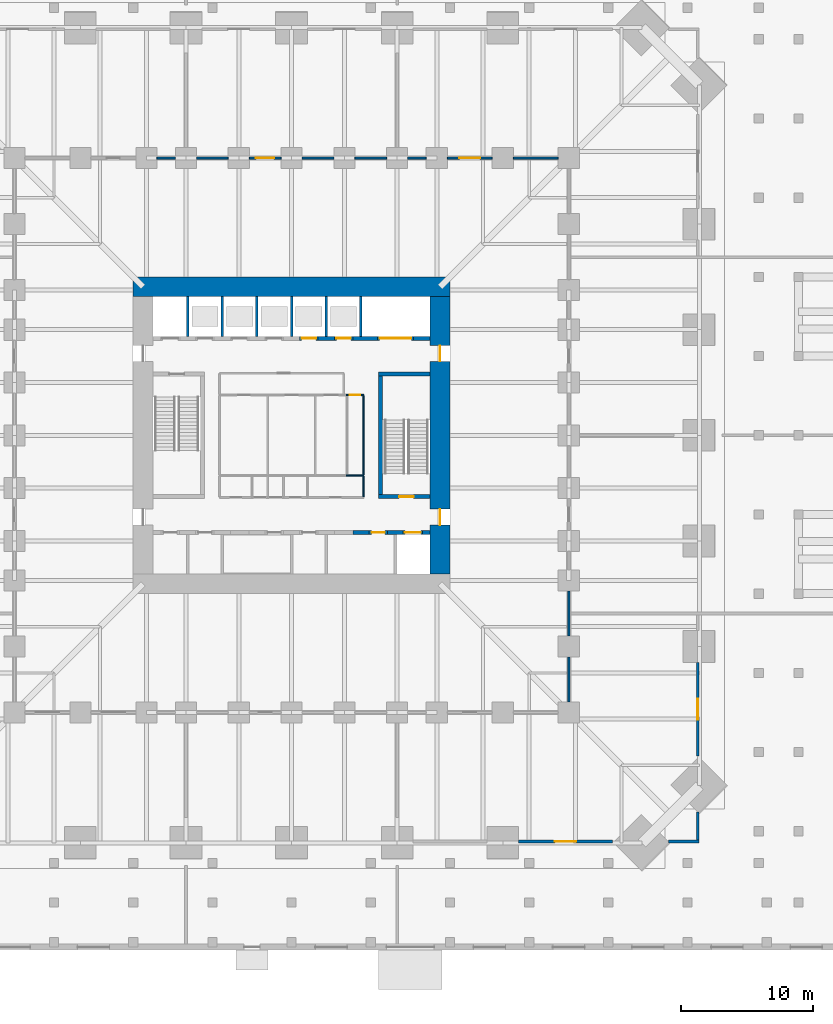
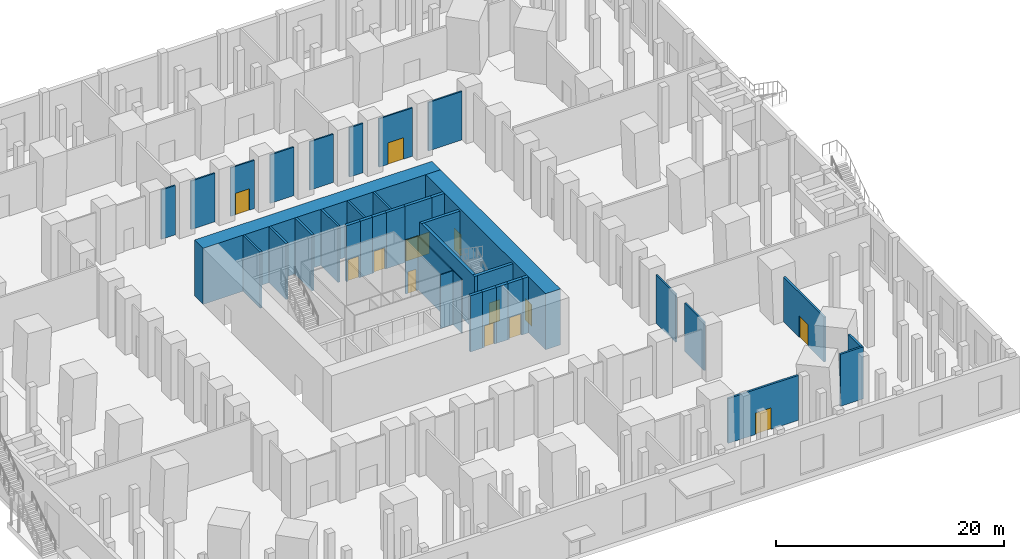
# One storey, part 15 of 20: 40 walls, 13 doors, 13 openings.
"""IFC4 building model written with IfcOpenShell, lengths in metres."""

from ifc_helpers import new_model, si_unit, direction, frame, frame_2d, origin, place, context, subcontext, project, spatial, rectangle, extrude, material, layer, layer_set, type_object, element, fill, save


model = new_model("IFC4")

# Units and contexts
model_context = context("Model", 3, precision=1e-05, world=origin(), true_north=direction((0.0, 1.0)))
body_context = subcontext(model_context, "Body", "Model", "MODEL_VIEW")
ifc_project = project(units=[si_unit("LENGTHUNIT", "METRE"), si_unit("AREAUNIT", "SQUARE_METRE"), si_unit("VOLUMEUNIT", "CUBIC_METRE"), si_unit("PLANEANGLEUNIT", "RADIAN"), si_unit("MASSUNIT", "GRAM", prefix="KILO")], contexts=[model_context])

# Site, building, storey
site_placement = place(None, origin())
site = spatial("IfcSite", under=ifc_project, at=site_placement, CompositionType="ELEMENT")
building_placement = place(site_placement, origin())
building = spatial("IfcBuilding", under=site, at=building_placement, Name="Peilmerk Tower", CompositionType="ELEMENT")
storey_placement = place(building_placement, origin())
storey = spatial("IfcBuildingStorey", under=building, at=storey_placement, Name="L00", CompositionType="ELEMENT", Elevation=0.0)

# Walls
ifc_material_1 = material(Name="Calcium silicate block", Category="masonry")
ifc_layer_1 = layer(ifc_material_1, 0.14990234375)
ifc_layer_set_1 = layer_set([ifc_layer_1], Name="Calcium silicate block")
wall_type_1 = type_object("IfcWallType", Name="IW1 150 corridor partition, EI 60", PredefinedType="PARTITIONING", material=ifc_layer_set_1)
wall_1_placement = place(storey_placement, frame((-10.199951171875, 21.0, 0.0), z_axis=(0.0, 0.0, 1.0), x_axis=(1.0, 0.0, 0.0)))
element("IfcWall", 1, at=wall_1_placement, inside=storey, type_object=wall_type_1, Name="Corridor wall Nc L00", PredefinedType="PARTITIONING", context=body_context, shape_type="SweptSolid", body=[
    extrude(rectangle(XDim=1.39990234375, YDim=0.14990234375, at=frame_2d((0.699951171875, 0.0))), origin(), (0.0, 0.0, 1.0), 5.27587890625),
])
wall_2_placement = place(storey_placement, frame((-7.199951171875, 21.0, 0.0), z_axis=(0.0, 0.0, 1.0), x_axis=(1.0, 0.0, 0.0)))
element("IfcWall", 2, at=wall_2_placement, inside=storey, type_object=wall_type_1, Name="Corridor wall Nd L00", PredefinedType="PARTITIONING", context=body_context, shape_type="SweptSolid", body=[
    extrude(rectangle(XDim=2.39990234375, YDim=0.14990234375, at=frame_2d((1.199951171875, 0.0))), origin(), (0.0, 0.0, 1.0), 5.179931640625),
])

# Wall, opening, door
wall_3_placement = place(storey_placement, frame((-3.199951171875, 21.0, 0.0), z_axis=(0.0, 0.0, 1.0), x_axis=(1.0, 0.0, 0.0)))
wall_3 = element("IfcWall", 3, at=wall_3_placement, inside=storey, type_object=wall_type_1, Name="Corridor wall Ne L00", PredefinedType="PARTITIONING", context=body_context, shape_type="SweptSolid", body=[
    extrude(rectangle(XDim=2.39990234375, YDim=0.14990234375, at=frame_2d((1.199951171875, 0.0))), origin(), (0.0, 0.0, 1.0), 5.179931640625),
])
opening_1_placement = place(wall_3_placement, frame((0.5, 0.0, 0.0)))
opening_1 = element("IfcOpeningElement", 4, at=opening_1_placement, cuts=wall_3, Name="Opening D8", PredefinedType="OPENING", context=body_context, shape_type="SweptSolid", body=[
    extrude(rectangle(XDim=1.39990234375, YDim=2.300048828125, at=frame_2d((0.699951171875, 1.14990234375))), frame((0.0, 0.0849609375, 0.0), z_axis=(0.0, -1.0, 0.0), x_axis=(1.0, 0.0, 0.0)), (0.0, 0.0, 1.0), 0.169921875),
])
ifc_material_2 = material(Name="Timber door in steel frame", Category="steel")
door_type_1 = type_object("IfcDoorType", Name="D8 1400x2300 leaf-and-a-half door, EI2 30", OperationType="DOUBLE_DOOR_SINGLE_SWING", PredefinedType="DOOR", material=ifc_material_2)
door_1_placement = place(opening_1_placement, origin())
door_1 = element("IfcDoor", 5, at=door_1_placement, inside=storey, type_object=door_type_1, Name="Door Entrance lobby L00", OperationType="DOUBLE_DOOR_SINGLE_SWING", OverallHeight=2.300048828125, OverallWidth=1.39990234375, PredefinedType="DOOR", context=body_context, shape_type="SweptSolid", body=[
    extrude(rectangle(XDim=1.39990234375, YDim=2.300048828125, at=frame_2d((0.699951171875, 1.14990234375))), frame((0.0, 0.02490234375, 0.0), z_axis=(0.0, -1.0, 0.0), x_axis=(1.0, 0.0, 0.0)), (0.0, 0.0, 1.0), 0.050048828125),
])
fill(opening_1, door_1)

# Walls
for number, where, z_axis, x_axis, name in (
    (6, (0.800048828125, 21.0, 0.0), (0.0, 0.0, 1.0), (1.0, 0.0, 0.0), "Corridor wall Nf L00"),
    (7, (4.800048828125, 21.0, 0.0), (0.0, 0.0, 1.0), (1.0, 0.0, 0.0), "Corridor wall Ng L00"),
):
    element("IfcWall", number, at=place(storey_placement, frame(where, z_axis=z_axis, x_axis=x_axis)), inside=storey, type_object=wall_type_1, Name=name, PredefinedType="PARTITIONING", context=body_context, shape_type="SweptSolid", body=[
        extrude(rectangle(XDim=2.39990234375, YDim=0.14990234375, at=frame_2d((1.199951171875, 0.0))), origin(), (0.0, 0.0, 1.0), 5.179931640625),
    ])
wall_4_placement = place(storey_placement, frame((8.800048828125, 21.0, 0.0), z_axis=(0.0, 0.0, 1.0), x_axis=(1.0, 0.0, 0.0)))
element("IfcWall", 8, at=wall_4_placement, inside=storey, type_object=wall_type_1, Name="Corridor wall Nh L00", PredefinedType="PARTITIONING", context=body_context, shape_type="SweptSolid", body=[
    extrude(rectangle(XDim=1.39990234375, YDim=0.14990234375, at=frame_2d((0.699951171875, 0.0))), origin(), (0.0, 0.0, 1.0), 5.27587890625),
])

# Wall, opening, door
wall_5_placement = place(storey_placement, frame((11.800048828125, 21.0, 0.0), z_axis=(0.0, 0.0, 1.0), x_axis=(1.0, 0.0, 0.0)))
wall_5 = element("IfcWall", 9, at=wall_5_placement, inside=storey, type_object=wall_type_1, Name="Corridor wall Ni L00", PredefinedType="PARTITIONING", context=body_context, shape_type="SweptSolid", body=[
    extrude(rectangle(XDim=3.39990234375, YDim=0.14990234375, at=frame_2d((1.699951171875, 0.0))), origin(), (0.0, 0.0, 1.0), 5.179931640625),
])
opening_2_placement = place(wall_5_placement, frame((0.89990234375, 0.0, 0.0)))
opening_2 = element("IfcOpeningElement", 10, at=opening_2_placement, cuts=wall_5, Name="Opening D9", PredefinedType="OPENING", context=body_context, shape_type="SweptSolid", body=[
    extrude(rectangle(XDim=1.60009765625, YDim=2.300048828125, at=frame_2d((0.800048828125, 1.14990234375))), frame((0.0, 0.0849609375, 0.0), z_axis=(0.0, -1.0, 0.0), x_axis=(1.0, 0.0, 0.0)), (0.0, 0.0, 1.0), 0.169921875),
])
ifc_material_3 = material(Name="Glazed timber door in steel frame", Category="steel")
door_type_2 = type_object("IfcDoorType", Name="D9 1600x2300 glazed double door, EI2 30", OperationType="DOUBLE_DOOR_SINGLE_SWING", PredefinedType="DOOR", material=ifc_material_3)
door_2_placement = place(opening_2_placement, origin())
door_2 = element("IfcDoor", 11, at=door_2_placement, inside=storey, type_object=door_type_2, Name="Door Cafe L00", OperationType="DOUBLE_DOOR_SINGLE_SWING", OverallHeight=2.300048828125, OverallWidth=1.60009765625, PredefinedType="DOOR", context=body_context, shape_type="SweptSolid", body=[
    extrude(rectangle(XDim=1.60009765625, YDim=2.300048828125, at=frame_2d((0.800048828125, 1.14990234375))), frame((0.0, 0.02490234375, 0.0), z_axis=(0.0, -1.0, 0.0), x_axis=(1.0, 0.0, 0.0)), (0.0, 0.0, 1.0), 0.050048828125),
])
fill(opening_2, door_2)

# Walls
for number, where, z_axis, x_axis, name in (
    (12, (16.800048828125, 21.0, 0.0), (0.0, 0.0, 1.0), (1.0, 0.0, 0.0), "Corridor wall Nj L00"),
    (13, (21.0, -20.199951171875, 0.0), (0.0, 0.0, 1.0), (0.0, 1.0, 0.0), "Corridor wall E L00"),
    (14, (21.0, -15.199951171875, 0.0), (0.0, 0.0, 1.0), (0.0, 1.0, 0.0), "Corridor wall Eb L00"),
):
    element("IfcWall", number, at=place(storey_placement, frame(where, z_axis=z_axis, x_axis=x_axis)), inside=storey, type_object=wall_type_1, Name=name, PredefinedType="PARTITIONING", context=body_context, shape_type="SweptSolid", body=[
        extrude(rectangle(XDim=3.39990234375, YDim=0.14990234375, at=frame_2d((1.699951171875, 0.0))), origin(), (0.0, 0.0, 1.0), 5.179931640625),
    ])

# Wall, opening, door
ifc_layer_2 = layer(ifc_material_1, 0.199951171875)
ifc_layer_set_2 = layer_set([ifc_layer_2], Name="Calcium silicate block")
wall_type_2 = type_object("IfcWallType", Name="IW2 200 room separating wall, EI 120", PredefinedType="PARTITIONING", material=ifc_layer_set_2)
wall_6_placement = place(storey_placement, frame((30.77587890625, -17.199951171875, 0.0), z_axis=(0.0, 0.0, 1.0), x_axis=(0.0, -1.0, 0.0)))
wall_6 = element("IfcWall", 15, at=wall_6_placement, inside=storey, type_object=wall_type_2, Name="Room separating wall S3X001 L00", PredefinedType="PARTITIONING", context=body_context, shape_type="SweptSolid", body=[
    extrude(rectangle(XDim=7.1044921875, YDim=0.199951171875, at=frame_2d((3.55224609375, 0.0))), origin(), (0.0, 0.0, 1.0), 4.800048828125),
])
opening_3_placement = place(wall_6_placement, frame((2.752197265625, 0.0, 0.0)))
opening_3 = element("IfcOpeningElement", 16, at=opening_3_placement, cuts=wall_6, Name="Opening D9", PredefinedType="OPENING", context=body_context, shape_type="SweptSolid", body=[
    extrude(rectangle(XDim=1.60009765625, YDim=2.300048828125, at=frame_2d((0.800048828125, 1.14990234375))), frame((0.0, 0.10986328125, 0.0), z_axis=(0.0, -1.0, 0.0), x_axis=(1.0, 0.0, 0.0)), (0.0, 0.0, 1.0), 0.219970703125),
])
door_3_placement = place(opening_3_placement, origin())
door_3 = element("IfcDoor", 17, at=door_3_placement, inside=storey, type_object=door_type_2, Name="Door Colonnade walkway L00", OperationType="DOUBLE_DOOR_SINGLE_SWING", OverallHeight=2.300048828125, OverallWidth=1.60009765625, PredefinedType="DOOR", context=body_context, shape_type="SweptSolid", body=[
    extrude(rectangle(XDim=1.60009765625, YDim=2.300048828125, at=frame_2d((0.800048828125, 1.14990234375))), frame((0.0, 0.02490234375, 0.0), z_axis=(0.0, -1.0, 0.0), x_axis=(1.0, 0.0, 0.0)), (0.0, 0.0, 1.0), 0.050048828125),
])
fill(opening_3, door_3)

# Walls
wall_7_placement = place(storey_placement, frame((30.77587890625, -28.547119140625, 0.0), z_axis=(0.0, 0.0, 1.0), x_axis=(0.0, -1.0, 0.0)))
element("IfcWall", 18, at=wall_7_placement, inside=storey, type_object=wall_type_2, Name="Room separating wall S3X002 L00", PredefinedType="PARTITIONING", context=body_context, shape_type="SweptSolid", body=[
    extrude(rectangle(XDim=2.128662109375, YDim=0.199951171875, at=frame_2d((1.064453125, 0.0))), origin(), (0.0, 0.0, 1.0), 5.550048828125),
])
wall_8_placement = place(storey_placement, frame((30.875732421875, -30.77587890625, 0.0), z_axis=(0.0, 0.0, 1.0), x_axis=(-1.0, 0.0, 0.0)))
element("IfcWall", 19, at=wall_8_placement, inside=storey, type_object=wall_type_2, Name="Room separating wall S3X010 L00", PredefinedType="PARTITIONING", context=body_context, shape_type="SweptSolid", body=[
    extrude(rectangle(XDim=2.32861328125, YDim=0.199951171875, at=frame_2d((1.164306640625, 0.0))), origin(), (0.0, 0.0, 1.0), 5.550048828125),
])

# Wall, opening, door
wall_9_placement = place(storey_placement, frame((24.304443359375, -30.77587890625, 0.0), z_axis=(0.0, 0.0, 1.0), x_axis=(-1.0, 0.0, 0.0)))
wall_9 = element("IfcWall", 20, at=wall_9_placement, inside=storey, type_object=wall_type_2, Name="Room separating wall S3X011 L00", PredefinedType="PARTITIONING", context=body_context, shape_type="SweptSolid", body=[
    extrude(rectangle(XDim=7.1044921875, YDim=0.199951171875, at=frame_2d((3.55224609375, 0.0))), origin(), (0.0, 0.0, 1.0), 4.800048828125),
])
opening_4_placement = place(wall_9_placement, frame((2.752197265625, 0.0, 0.0)))
opening_4 = element("IfcOpeningElement", 21, at=opening_4_placement, cuts=wall_9, Name="Opening D9", PredefinedType="OPENING", context=body_context, shape_type="SweptSolid", body=[
    extrude(rectangle(XDim=1.60009765625, YDim=2.300048828125, at=frame_2d((0.800048828125, 1.14990234375))), frame((0.0, 0.10986328125, 0.0), z_axis=(0.0, -1.0, 0.0), x_axis=(1.0, 0.0, 0.0)), (0.0, 0.0, 1.0), 0.219970703125),
])
door_4_placement = place(opening_4_placement, origin())
door_4 = element("IfcDoor", 22, at=door_4_placement, inside=storey, type_object=door_type_2, Name="Door Colonnade walkway L00", OperationType="DOUBLE_DOOR_SINGLE_SWING", OverallHeight=2.300048828125, OverallWidth=1.60009765625, PredefinedType="DOOR", context=body_context, shape_type="SweptSolid", body=[
    extrude(rectangle(XDim=1.60009765625, YDim=2.300048828125, at=frame_2d((0.800048828125, 1.14990234375))), frame((0.0, 0.02490234375, 0.0), z_axis=(0.0, -1.0, 0.0), x_axis=(1.0, 0.0, 0.0)), (0.0, 0.0, 1.0), 0.050048828125),
])
fill(opening_4, door_4)

# Walls
ifc_material_4 = material(Name="Concrete C35/45", Category="concrete")
ifc_layer_3 = layer(ifc_material_4, 0.300048828125)
ifc_layer_set_3 = layer_set([ifc_layer_3], Name="Concrete C35/45")
wall_type_3 = type_object("IfcWallType", Name="IW3 300 concrete stair enclosure wall, EI 120", PredefinedType="SOLIDWALL", material=ifc_layer_set_3)
wall_10_placement = place(storey_placement, frame((6.75, -4.800048828125, 0.0), z_axis=(0.0, 0.0, 1.0), x_axis=(0.0, 1.0, 0.0)))
element("IfcWall", 23, at=wall_10_placement, inside=storey, type_object=wall_type_3, Name="Stair 2 enclosure L00", PredefinedType="SOLIDWALL", context=body_context, shape_type="SweptSolid", body=[
    extrude(rectangle(XDim=9.60009765625, YDim=0.300048828125, at=frame_2d((4.800048828125, 0.0))), origin(), (0.0, 0.0, 1.0), 5.75),
])
wall_11_placement = place(storey_placement, frame((6.60009765625, 4.64990234375, 0.0), z_axis=(0.0, 0.0, 1.0), x_axis=(1.0, 0.0, 0.0)))
element("IfcWall", 24, at=wall_11_placement, inside=storey, type_object=wall_type_3, Name="Stair 2 enclosure L00", PredefinedType="SOLIDWALL", context=body_context, shape_type="SweptSolid", body=[
    extrude(rectangle(XDim=3.89990234375, YDim=0.300048828125, at=frame_2d((1.949951171875, 0.0))), origin(), (0.0, 0.0, 1.0), 5.75),
])

# Wall, opening, door
wall_12_placement = place(storey_placement, frame((10.5, -4.64990234375, 0.0), z_axis=(0.0, 0.0, 1.0), x_axis=(-1.0, 0.0, 0.0)))
wall_12 = element("IfcWall", 25, at=wall_12_placement, inside=storey, type_object=wall_type_3, Name="Stair 2 enclosure L00", PredefinedType="SOLIDWALL", context=body_context, shape_type="SweptSolid", body=[
    extrude(rectangle(XDim=3.89990234375, YDim=0.300048828125, at=frame_2d((1.949951171875, 0.0))), origin(), (0.0, 0.0, 1.0), 5.75),
])
opening_5_placement = place(wall_12_placement, frame((1.25, 0.0, 0.0)))
opening_5 = element("IfcOpeningElement", 26, at=opening_5_placement, cuts=wall_12, Name="Opening D4", PredefinedType="OPENING", context=body_context, shape_type="SweptSolid", body=[
    extrude(rectangle(XDim=1.10009765625, YDim=2.300048828125, at=frame_2d((0.550048828125, 1.14990234375))), frame((0.0, 0.159912109375, 0.0), z_axis=(0.0, -1.0, 0.0), x_axis=(1.0, 0.0, 0.0)), (0.0, 0.0, 1.0), 0.320068359375),
])
ifc_material_5 = material(Name="Steel door in steel frame", Category="steel")
door_type_3 = type_object("IfcDoorType", Name="D4 1100x2300 stair door, EI2 60", OperationType="SINGLE_SWING_RIGHT", PredefinedType="DOOR", material=ifc_material_5)
door_5_placement = place(opening_5_placement, origin())
door_5 = element("IfcDoor", 27, at=door_5_placement, inside=storey, type_object=door_type_3, Name="Stair 2 door L00", OperationType="SINGLE_SWING_RIGHT", OverallHeight=2.300048828125, OverallWidth=1.10009765625, PredefinedType="DOOR", context=body_context, shape_type="SweptSolid", body=[
    extrude(rectangle(XDim=1.10009765625, YDim=2.300048828125, at=frame_2d((0.550048828125, 1.14990234375))), frame((0.0, 0.02490234375, 0.0), z_axis=(0.0, -1.0, 0.0), x_axis=(1.0, 0.0, 0.0)), (0.0, 0.0, 1.0), 0.050048828125),
])
fill(opening_5, door_5)

ifc_material_6 = material(Name="Calcium silicate board on steel studs", Category="steel")
ifc_layer_4 = layer(ifc_material_6, 0.10009765625)
ifc_layer_set_4 = layer_set([ifc_layer_4], Name="Calcium silicate board on steel studs")
wall_type_4 = type_object("IfcWallType", Name="IW5 100 riser enclosure wall, EI 60", PredefinedType="PARTITIONING", material=ifc_layer_set_4)
wall_13_placement = place(storey_placement, frame((4.14990234375, 3.050048828125, 0.0), z_axis=(0.0, 0.0, 1.0), x_axis=(1.0, 0.0, 0.0)))
wall_13 = element("IfcWall", 28, at=wall_13_placement, inside=storey, type_object=wall_type_4, Name="Riser wall L00", PredefinedType="PARTITIONING", context=body_context, shape_type="SweptSolid", body=[
    extrude(rectangle(XDim=1.300048828125, YDim=0.10009765625, at=frame_2d((0.64990234375, 0.0))), origin(), (0.0, 0.0, 1.0), 5.75),
])
opening_6_placement = place(wall_13_placement, frame((0.25, 0.0, 0.0)))
opening_6 = element("IfcOpeningElement", 29, at=opening_6_placement, cuts=wall_13, Name="Opening D7", PredefinedType="OPENING", context=body_context, shape_type="SweptSolid", body=[
    extrude(rectangle(XDim=0.800048828125, YDim=2.300048828125, at=frame_2d((0.39990234375, 1.14990234375))), frame((0.0, 0.06005859375, 0.0), z_axis=(0.0, -1.0, 0.0), x_axis=(1.0, 0.0, 0.0)), (0.0, 0.0, 1.0), 0.1201171875),
])
door_type_4 = type_object("IfcDoorType", Name="D7 800x2300 riser access door, EI2 60", OperationType="SINGLE_SWING_RIGHT", PredefinedType="DOOR", material=ifc_material_5)
door_6_placement = place(opening_6_placement, frame((0.800048828125, 0.0, 0.0), z_axis=(0.0, 0.0, 1.0), x_axis=(-1.0, 0.0, 0.0)))
door_6 = element("IfcDoor", 30, at=door_6_placement, inside=storey, type_object=door_type_4, Name="Plumbing riser door L00", OperationType="SINGLE_SWING_RIGHT", OverallHeight=2.300048828125, OverallWidth=0.800048828125, PredefinedType="DOOR", context=body_context, shape_type="SweptSolid", body=[
    extrude(rectangle(XDim=0.800048828125, YDim=2.300048828125, at=frame_2d((0.39990234375, 1.14990234375))), frame((0.0, 0.02490234375, 0.0), z_axis=(0.0, -1.0, 0.0), x_axis=(1.0, 0.0, 0.0)), (0.0, 0.0, 1.0), 0.050048828125),
])
fill(opening_6, door_6)

# Walls
wall_14_placement = place(storey_placement, frame((5.449951171875, -3.050048828125, 0.0), z_axis=(0.0, 0.0, 1.0), x_axis=(-1.0, 0.0, 0.0)))
element("IfcWall", 31, at=wall_14_placement, inside=storey, type_object=wall_type_4, Name="Riser wall L00", PredefinedType="PARTITIONING", context=body_context, shape_type="SweptSolid", body=[
    extrude(rectangle(XDim=1.300048828125, YDim=0.10009765625, at=frame_2d((0.64990234375, 0.0))), origin(), (0.0, 0.0, 1.0), 5.75),
])
wall_15_placement = place(storey_placement, frame((5.449951171875, 3.0, 0.0), z_axis=(0.0, 0.0, 1.0), x_axis=(0.0, -1.0, 0.0)))
element("IfcWall", 32, at=wall_15_placement, inside=storey, type_object=wall_type_4, Name="Riser wall L00", PredefinedType="PARTITIONING", context=body_context, shape_type="SweptSolid", body=[
    extrude(rectangle(XDim=6.0, YDim=0.10009765625, at=frame_2d((3.0, 0.0))), origin(), (0.0, 0.0, 1.0), 5.75),
])
wall_16_placement = place(storey_placement, frame((5.449951171875, -3.10009765625, 0.0), z_axis=(0.0, 0.0, 1.0), x_axis=(0.0, -1.0, 0.0)))
element("IfcWall", 33, at=wall_16_placement, inside=storey, type_object=wall_type_4, Name="Riser wall L00", PredefinedType="PARTITIONING", context=body_context, shape_type="SweptSolid", body=[
    extrude(rectangle(XDim=1.5498046875, YDim=0.10009765625, at=frame_2d((0.77490234375, 0.0))), origin(), (0.0, 0.0, 1.0), 5.75),
])
ifc_layer_5 = layer(ifc_material_1, 0.199951171875)
ifc_layer_set_5 = layer_set([ifc_layer_5], Name="Calcium silicate block")
wall_type_5 = type_object("IfcWallType", Name="SH1 200 shaft dividing wall, EI 120", PredefinedType="PARTITIONING", material=ifc_layer_set_5)
for number, where, z_axis, x_axis, name in (
    (34, (-7.875, 7.5, 0.0), (0.0, 0.0, 1.0), (0.0, 1.0, 0.0), "Shaft wall N FL1 L00"),
    (35, (-5.25, 7.5, 0.0), (0.0, 0.0, 1.0), (0.0, 1.0, 0.0), "Shaft wall N A1 L00"),
    (36, (-2.625, 7.5, 0.0), (0.0, 0.0, 1.0), (0.0, 1.0, 0.0), "Shaft wall N A2 L00"),
    (37, (0.0, 7.5, 0.0), (0.0, 0.0, 1.0), (0.0, 1.0, 0.0), "Shaft wall N A3 L00"),
    (38, (2.625, 7.5, 0.0), (0.0, 0.0, 1.0), (0.0, 1.0, 0.0), "Shaft wall N S1 L00"),
    (39, (5.25, 7.5, 0.0), (0.0, 0.0, 1.0), (0.0, 1.0, 0.0), "Shaft wall N S2 L00"),
):
    element("IfcWall", number, at=place(storey_placement, frame(where, z_axis=z_axis, x_axis=x_axis)), inside=storey, type_object=wall_type_5, Name=name, PredefinedType="PARTITIONING", context=body_context, shape_type="SweptSolid", body=[
        extrude(rectangle(XDim=3.0, YDim=0.199951171875, at=frame_2d((1.5, 0.0))), origin(), (0.0, 0.0, 1.0), 6.0),
    ])

# Wall, opening, door
ifc_layer_6 = layer(ifc_material_1, 0.300048828125)
ifc_layer_set_6 = layer_set([ifc_layer_6], Name="Calcium silicate block")
wall_type_6 = type_object("IfcWallType", Name="SH2 300 lift landing door panel, EI 120", PredefinedType="PARTITIONING", material=ifc_layer_set_6)
wall_17_placement = place(storey_placement, frame((0.612548828125, 7.35009765625, 0.0), z_axis=(0.0, 0.0, 1.0), x_axis=(1.0, 0.0, 0.0)))
wall_17 = element("IfcWall", 40, at=wall_17_placement, inside=storey, type_object=wall_type_6, Name="Lift door panel N S1 L00", PredefinedType="PARTITIONING", context=body_context, shape_type="SweptSolid", body=[
    extrude(rectangle(XDim=1.39990234375, YDim=0.300048828125, at=frame_2d((0.699951171875, 0.0))), origin(), (0.0, 0.0, 1.0), 6.0),
])
opening_7_placement = place(wall_17_placement, frame((0.14990234375, 0.0, 0.0)))
opening_7 = element("IfcOpeningElement", 41, at=opening_7_placement, cuts=wall_17, Name="Opening LD1", PredefinedType="OPENING", context=body_context, shape_type="SweptSolid", body=[
    extrude(rectangle(XDim=1.10009765625, YDim=2.300048828125, at=frame_2d((0.550048828125, 1.14990234375))), frame((0.0, 0.159912109375, 0.0), z_axis=(0.0, -1.0, 0.0), x_axis=(1.0, 0.0, 0.0)), (0.0, 0.0, 1.0), 0.320068359375),
])
ifc_material_7 = material(Name="Stainless steel landing door", Category="steel")
door_type_5 = type_object("IfcDoorType", Name="LD1 1100x2300 lift landing door, sliding, EI2 60", OperationType="SLIDING_TO_LEFT", PredefinedType="DOOR", material=ifc_material_7)
door_7_placement = place(opening_7_placement, frame((1.10009765625, 0.0, 0.0), z_axis=(0.0, 0.0, 1.0), x_axis=(-1.0, 0.0, 0.0)))
door_7 = element("IfcDoor", 42, at=door_7_placement, inside=storey, type_object=door_type_5, Name="Lift landing door S1 L00", OperationType="SLIDING_TO_LEFT", OverallHeight=2.300048828125, OverallWidth=1.10009765625, PredefinedType="DOOR", context=body_context, shape_type="SweptSolid", body=[
    extrude(rectangle(XDim=1.10009765625, YDim=2.300048828125, at=frame_2d((0.550048828125, 1.14990234375))), frame((0.0, 0.02490234375, 0.0), z_axis=(0.0, -1.0, 0.0), x_axis=(1.0, 0.0, 0.0)), (0.0, 0.0, 1.0), 0.050048828125),
])
fill(opening_7, door_7)

wall_18_placement = place(storey_placement, frame((3.237548828125, 7.35009765625, 0.0), z_axis=(0.0, 0.0, 1.0), x_axis=(1.0, 0.0, 0.0)))
wall_18 = element("IfcWall", 43, at=wall_18_placement, inside=storey, type_object=wall_type_6, Name="Lift door panel N S2 L00", PredefinedType="PARTITIONING", context=body_context, shape_type="SweptSolid", body=[
    extrude(rectangle(XDim=1.39990234375, YDim=0.300048828125, at=frame_2d((0.699951171875, 0.0))), origin(), (0.0, 0.0, 1.0), 6.0),
])
opening_8_placement = place(wall_18_placement, frame((0.14990234375, 0.0, 0.0)))
opening_8 = element("IfcOpeningElement", 44, at=opening_8_placement, cuts=wall_18, Name="Opening LD1", PredefinedType="OPENING", context=body_context, shape_type="SweptSolid", body=[
    extrude(rectangle(XDim=1.10009765625, YDim=2.300048828125, at=frame_2d((0.550048828125, 1.14990234375))), frame((0.0, 0.159912109375, 0.0), z_axis=(0.0, -1.0, 0.0), x_axis=(1.0, 0.0, 0.0)), (0.0, 0.0, 1.0), 0.320068359375),
])
door_8_placement = place(opening_8_placement, frame((1.10009765625, 0.0, 0.0), z_axis=(0.0, 0.0, 1.0), x_axis=(-1.0, 0.0, 0.0)))
door_8 = element("IfcDoor", 45, at=door_8_placement, inside=storey, type_object=door_type_5, Name="Lift landing door S2 L00", OperationType="SLIDING_TO_LEFT", OverallHeight=2.300048828125, OverallWidth=1.10009765625, PredefinedType="DOOR", context=body_context, shape_type="SweptSolid", body=[
    extrude(rectangle(XDim=1.10009765625, YDim=2.300048828125, at=frame_2d((0.550048828125, 1.14990234375))), frame((0.0, 0.02490234375, 0.0), z_axis=(0.0, -1.0, 0.0), x_axis=(1.0, 0.0, 0.0)), (0.0, 0.0, 1.0), 0.050048828125),
])
fill(opening_8, door_8)

wall_19_placement = place(storey_placement, frame((6.52490234375, 7.35009765625, 0.0), z_axis=(0.0, 0.0, 1.0), x_axis=(1.0, 0.0, 0.0)))
wall_19 = element("IfcWall", 46, at=wall_19_placement, inside=storey, type_object=wall_type_6, Name="Lift door panel N GL1 L00", PredefinedType="PARTITIONING", context=body_context, shape_type="SweptSolid", body=[
    extrude(rectangle(XDim=2.7001953125, YDim=0.300048828125, at=frame_2d((1.35009765625, 0.0))), origin(), (0.0, 0.0, 1.0), 6.0),
])
opening_9_placement = place(wall_19_placement, frame((0.14990234375, 0.0, 0.0)))
opening_9 = element("IfcOpeningElement", 47, at=opening_9_placement, cuts=wall_19, Name="Opening LD3", PredefinedType="OPENING", context=body_context, shape_type="SweptSolid", body=[
    extrude(rectangle(XDim=2.39990234375, YDim=2.300048828125, at=frame_2d((1.199951171875, 1.14990234375))), frame((0.0, 0.159912109375, 0.0), z_axis=(0.0, -1.0, 0.0), x_axis=(1.0, 0.0, 0.0)), (0.0, 0.0, 1.0), 0.320068359375),
])
door_type_6 = type_object("IfcDoorType", Name="LD3 2400x2300 lift landing door, sliding, EI2 60", OperationType="SLIDING_TO_LEFT", PredefinedType="DOOR", material=ifc_material_7)
door_9_placement = place(opening_9_placement, frame((2.39990234375, 0.0, 0.0), z_axis=(0.0, 0.0, 1.0), x_axis=(-1.0, 0.0, 0.0)))
door_9 = element("IfcDoor", 48, at=door_9_placement, inside=storey, type_object=door_type_6, Name="Lift landing door GL1 L00", OperationType="SLIDING_TO_LEFT", OverallHeight=2.300048828125, OverallWidth=2.39990234375, PredefinedType="DOOR", context=body_context, shape_type="SweptSolid", body=[
    extrude(rectangle(XDim=2.39990234375, YDim=2.300048828125, at=frame_2d((1.199951171875, 1.14990234375))), frame((0.0, 0.02490234375, 0.0), z_axis=(0.0, -1.0, 0.0), x_axis=(1.0, 0.0, 0.0)), (0.0, 0.0, 1.0), 0.050048828125),
])
fill(opening_9, door_9)

wall_20_placement = place(storey_placement, frame((5.862548828125, -7.35009765625, 0.0), z_axis=(0.0, 0.0, 1.0), x_axis=(1.0, 0.0, 0.0)))
wall_20 = element("IfcWall", 49, at=wall_20_placement, inside=storey, type_object=wall_type_6, Name="Lift door panel S B1 L00", PredefinedType="PARTITIONING", context=body_context, shape_type="SweptSolid", body=[
    extrude(rectangle(XDim=1.39990234375, YDim=0.300048828125, at=frame_2d((0.699951171875, 0.0))), origin(), (0.0, 0.0, 1.0), 6.0),
])
opening_10_placement = place(wall_20_placement, frame((0.199951171875, 0.0, 0.0)))
opening_10 = element("IfcOpeningElement", 50, at=opening_10_placement, cuts=wall_20, Name="Opening D10", PredefinedType="OPENING", context=body_context, shape_type="SweptSolid", body=[
    extrude(rectangle(XDim=1.0, YDim=2.300048828125, at=frame_2d((0.5, 1.14990234375))), frame((0.0, 0.159912109375, 0.0), z_axis=(0.0, -1.0, 0.0), x_axis=(1.0, 0.0, 0.0)), (0.0, 0.0, 1.0), 0.320068359375),
])
door_type_7 = type_object("IfcDoorType", Name="D10 1000x2300 core room door, EI2 60", OperationType="SINGLE_SWING_RIGHT", PredefinedType="DOOR", material=ifc_material_5)
door_10_placement = place(opening_10_placement, frame((1.0, 0.0, 0.0), z_axis=(0.0, 0.0, 1.0), x_axis=(-1.0, 0.0, 0.0)))
door_10 = element("IfcDoor", 51, at=door_10_placement, inside=storey, type_object=door_type_7, Name="Door Vending room L00", OperationType="SINGLE_SWING_RIGHT", OverallHeight=2.300048828125, OverallWidth=1.0, PredefinedType="DOOR", context=body_context, shape_type="SweptSolid", body=[
    extrude(rectangle(XDim=1.0, YDim=2.300048828125, at=frame_2d((0.5, 1.14990234375))), frame((0.0, 0.02490234375, 0.0), z_axis=(0.0, -1.0, 0.0), x_axis=(1.0, 0.0, 0.0)), (0.0, 0.0, 1.0), 0.050048828125),
])
fill(opening_10, door_10)

wall_21_placement = place(storey_placement, frame((8.4375, -7.35009765625, 0.0), z_axis=(0.0, 0.0, 1.0), x_axis=(1.0, 0.0, 0.0)))
wall_21 = element("IfcWall", 52, at=wall_21_placement, inside=storey, type_object=wall_type_6, Name="Lift door panel S FL2 L00", PredefinedType="PARTITIONING", context=body_context, shape_type="SweptSolid", body=[
    extrude(rectangle(XDim=1.5, YDim=0.300048828125, at=frame_2d((0.75, 0.0))), origin(), (0.0, 0.0, 1.0), 6.0),
])
opening_11_placement = place(wall_21_placement, frame((0.14990234375, 0.0, 0.0)))
opening_11 = element("IfcOpeningElement", 53, at=opening_11_placement, cuts=wall_21, Name="Opening LD2", PredefinedType="OPENING", context=body_context, shape_type="SweptSolid", body=[
    extrude(rectangle(XDim=1.199951171875, YDim=2.300048828125, at=frame_2d((0.60009765625, 1.14990234375))), frame((0.0, 0.159912109375, 0.0), z_axis=(0.0, -1.0, 0.0), x_axis=(1.0, 0.0, 0.0)), (0.0, 0.0, 1.0), 0.320068359375),
])
door_type_8 = type_object("IfcDoorType", Name="LD2 1200x2300 lift landing door, sliding, EI2 60", OperationType="SLIDING_TO_LEFT", PredefinedType="DOOR", material=ifc_material_7)
door_11_placement = place(opening_11_placement, origin())
door_11 = element("IfcDoor", 54, at=door_11_placement, inside=storey, type_object=door_type_8, Name="Lift landing door FL2 L00", OperationType="SLIDING_TO_LEFT", OverallHeight=2.300048828125, OverallWidth=1.199951171875, PredefinedType="DOOR", context=body_context, shape_type="SweptSolid", body=[
    extrude(rectangle(XDim=1.199951171875, YDim=2.300048828125, at=frame_2d((0.60009765625, 1.14990234375))), frame((0.0, 0.02490234375, 0.0), z_axis=(0.0, -1.0, 0.0), x_axis=(1.0, 0.0, 0.0)), (0.0, 0.0, 1.0), 0.050048828125),
])
fill(opening_11, door_11)

# Wall
ifc_material_8 = material(Name="Concrete C55/67", Category="concrete")
ifc_layer_7 = layer(ifc_material_8, 1.5)
ifc_layer_set_7 = layer_set([ifc_layer_7], Name="Concrete C55/67")
wall_type_7 = type_object("IfcWallType", Name="SW1 1500 core wall", PredefinedType="SHEAR", material=ifc_layer_set_7)
wall_22_placement = place(storey_placement, frame((-12.0, 11.25, 0.0), z_axis=(0.0, 0.0, 1.0), x_axis=(1.0, 0.0, 0.0)))
element("IfcWall", 55, at=wall_22_placement, inside=storey, type_object=wall_type_7, Name="Core wall N L00", PredefinedType="SHEAR", context=body_context, shape_type="SweptSolid", body=[
    extrude(rectangle(XDim=24.0, YDim=1.5, at=frame_2d((12.0, 0.0))), origin(), (0.0, 0.0, 1.0), 6.0),
])

# Wall, openings, doors
wall_23_placement = place(storey_placement, frame((11.25, 10.5, 0.0), z_axis=(0.0, 0.0, 1.0), x_axis=(0.0, -1.0, 0.0)))
wall_23 = element("IfcWall", 56, at=wall_23_placement, inside=storey, type_object=wall_type_7, Name="Core wall E L00", PredefinedType="SHEAR", context=body_context, shape_type="SweptSolid", body=[
    extrude(rectangle(XDim=21.0, YDim=1.5, at=frame_2d((10.5, 0.0))), origin(), (0.0, 0.0, 1.0), 6.0),
])
opening_12_placement = place(wall_23_placement, frame((3.699951171875, 0.0, 0.0)))
opening_12 = element("IfcOpeningElement", 57, at=opening_12_placement, cuts=wall_23, Name="Opening D3", PredefinedType="OPENING", context=body_context, shape_type="SweptSolid", body=[
    extrude(rectangle(XDim=1.199951171875, YDim=2.300048828125, at=frame_2d((0.60009765625, 1.14990234375))), frame((0.0, 0.760009765625, 0.0), z_axis=(0.0, -1.0, 0.0), x_axis=(1.0, 0.0, 0.0)), (0.0, 0.0, 1.0), 1.52001953125),
])
opening_13_placement = place(wall_23_placement, frame((16.10009765625, 0.0, 0.0)))
opening_13 = element("IfcOpeningElement", 58, at=opening_13_placement, cuts=wall_23, Name="Opening D3", PredefinedType="OPENING", context=body_context, shape_type="SweptSolid", body=[
    extrude(rectangle(XDim=1.199951171875, YDim=2.300048828125, at=frame_2d((0.60009765625, 1.14990234375))), frame((0.0, 0.760009765625, 0.0), z_axis=(0.0, -1.0, 0.0), x_axis=(1.0, 0.0, 0.0)), (0.0, 0.0, 1.0), 1.52001953125),
])
door_type_9 = type_object("IfcDoorType", Name="D3 1200x2300 core door, EI2 60", OperationType="SINGLE_SWING_LEFT", PredefinedType="DOOR", material=ifc_material_5)
door_12_placement = place(opening_12_placement, frame((1.199951171875, 0.0, 0.0), z_axis=(0.0, 0.0, 1.0), x_axis=(-1.0, 0.0, 0.0)))
door_12 = element("IfcDoor", 59, at=door_12_placement, inside=storey, type_object=door_type_9, Name="Core door L00", OperationType="SINGLE_SWING_LEFT", OverallHeight=2.300048828125, OverallWidth=1.199951171875, PredefinedType="DOOR", context=body_context, shape_type="SweptSolid", body=[
    extrude(rectangle(XDim=1.199951171875, YDim=2.300048828125, at=frame_2d((0.60009765625, 1.14990234375))), frame((0.0, 0.02490234375, 0.0), z_axis=(0.0, -1.0, 0.0), x_axis=(1.0, 0.0, 0.0)), (0.0, 0.0, 1.0), 0.050048828125),
])
fill(opening_12, door_12)
door_13_placement = place(opening_13_placement, frame((1.199951171875, 0.0, 0.0), z_axis=(0.0, 0.0, 1.0), x_axis=(-1.0, 0.0, 0.0)))
door_13 = element("IfcDoor", 60, at=door_13_placement, inside=storey, type_object=door_type_9, Name="Core door L00", OperationType="SINGLE_SWING_LEFT", OverallHeight=2.300048828125, OverallWidth=1.199951171875, PredefinedType="DOOR", context=body_context, shape_type="SweptSolid", body=[
    extrude(rectangle(XDim=1.199951171875, YDim=2.300048828125, at=frame_2d((0.60009765625, 1.14990234375))), frame((0.0, 0.02490234375, 0.0), z_axis=(0.0, -1.0, 0.0), x_axis=(1.0, 0.0, 0.0)), (0.0, 0.0, 1.0), 0.050048828125),
])
fill(opening_13, door_13)

# Walls
ifc_layer_8 = layer(ifc_material_8, 0.300048828125)
ifc_layer_set_8 = layer_set([ifc_layer_8], Name="Concrete C55/67")
wall_type_8 = type_object("IfcWallType", Name="SW2 300 lift bank pier", PredefinedType="SHEAR", material=ifc_layer_set_8)
wall_24_placement = place(storey_placement, frame((2.012451171875, 7.35009765625, 0.0), z_axis=(0.0, 0.0, 1.0), x_axis=(1.0, 0.0, 0.0)))
element("IfcWall", 61, at=wall_24_placement, inside=storey, type_object=wall_type_8, Name="Lift bank pier N L00", PredefinedType="SHEAR", context=body_context, shape_type="SweptSolid", body=[
    extrude(rectangle(XDim=1.22509765625, YDim=0.300048828125, at=frame_2d((0.612548828125, 0.0))), origin(), (0.0, 0.0, 1.0), 6.0),
])
wall_25_placement = place(storey_placement, frame((4.637451171875, 7.35009765625, 0.0), z_axis=(0.0, 0.0, 1.0), x_axis=(1.0, 0.0, 0.0)))
element("IfcWall", 62, at=wall_25_placement, inside=storey, type_object=wall_type_8, Name="Lift bank pier N L00", PredefinedType="SHEAR", context=body_context, shape_type="SweptSolid", body=[
    extrude(rectangle(XDim=1.887451171875, YDim=0.300048828125, at=frame_2d((0.94384765625, 0.0))), origin(), (0.0, 0.0, 1.0), 6.0),
])
wall_26_placement = place(storey_placement, frame((9.22509765625, 7.35009765625, 0.0), z_axis=(0.0, 0.0, 1.0), x_axis=(1.0, 0.0, 0.0)))
element("IfcWall", 63, at=wall_26_placement, inside=storey, type_object=wall_type_8, Name="Lift bank pier N L00", PredefinedType="SHEAR", context=body_context, shape_type="SweptSolid", body=[
    extrude(rectangle(XDim=1.27490234375, YDim=0.300048828125, at=frame_2d((0.637451171875, 0.0))), origin(), (0.0, 0.0, 1.0), 6.0),
])
wall_27_placement = place(storey_placement, frame((4.637451171875, -7.35009765625, 0.0), z_axis=(0.0, 0.0, 1.0), x_axis=(1.0, 0.0, 0.0)))
element("IfcWall", 64, at=wall_27_placement, inside=storey, type_object=wall_type_8, Name="Lift bank pier S L00", PredefinedType="SHEAR", context=body_context, shape_type="SweptSolid", body=[
    extrude(rectangle(XDim=1.22509765625, YDim=0.300048828125, at=frame_2d((0.612548828125, 0.0))), origin(), (0.0, 0.0, 1.0), 6.0),
])
wall_28_placement = place(storey_placement, frame((7.262451171875, -7.35009765625, 0.0), z_axis=(0.0, 0.0, 1.0), x_axis=(1.0, 0.0, 0.0)))
element("IfcWall", 65, at=wall_28_placement, inside=storey, type_object=wall_type_8, Name="Lift bank pier S L00", PredefinedType="SHEAR", context=body_context, shape_type="SweptSolid", body=[
    extrude(rectangle(XDim=1.175048828125, YDim=0.300048828125, at=frame_2d((0.58740234375, 0.0))), origin(), (0.0, 0.0, 1.0), 6.0),
])
wall_29_placement = place(storey_placement, frame((9.9375, -7.35009765625, 0.0), z_axis=(0.0, 0.0, 1.0), x_axis=(1.0, 0.0, 0.0)))
element("IfcWall", 66, at=wall_29_placement, inside=storey, type_object=wall_type_8, Name="Lift bank pier S L00", PredefinedType="SHEAR", context=body_context, shape_type="SweptSolid", body=[
    extrude(rectangle(XDim=0.5625, YDim=0.300048828125, at=frame_2d((0.28125, 0.0))), origin(), (0.0, 0.0, 1.0), 6.0),
])

save(model, "model.ifc")
